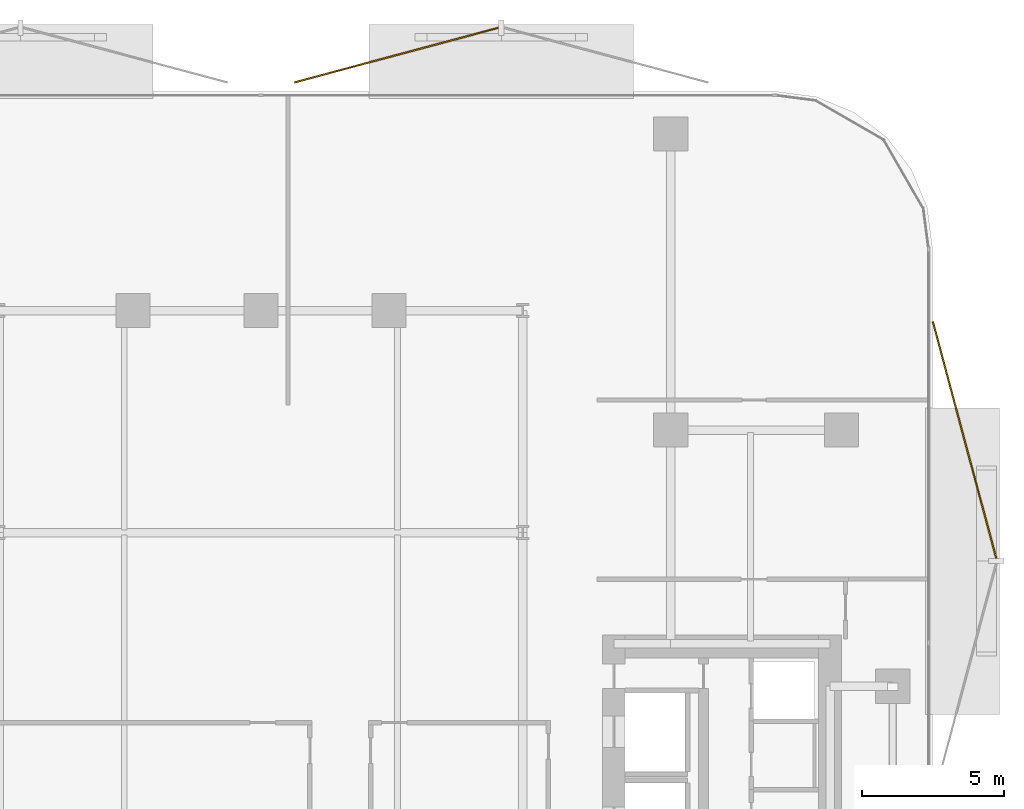
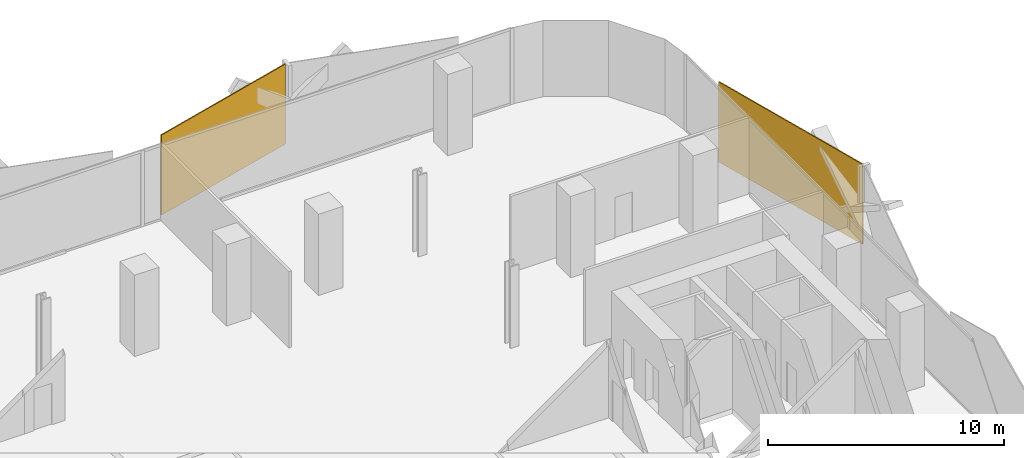
# One storey, part 15 of 15: 2 coverings.
"""IFC4 building model written with IfcOpenShell, lengths in metres."""

from ifc_helpers import new_model, si_unit, direction, frame, origin, origin_2d, place, context, subcontext, project, spatial, rectangle, extrude, material, layer, layer_set, type_object, element, save


model = new_model("IFC4")

# Units and contexts
model_context = context("Model", 3, precision=1e-05, world=origin(), true_north=direction((0.0, 1.0)))
body_context = subcontext(model_context, "Body", "Model", "MODEL_VIEW")
ifc_project = project(units=[si_unit("LENGTHUNIT", "METRE"), si_unit("AREAUNIT", "SQUARE_METRE"), si_unit("VOLUMEUNIT", "CUBIC_METRE"), si_unit("PLANEANGLEUNIT", "RADIAN"), si_unit("MASSUNIT", "GRAM", prefix="KILO")], contexts=[model_context])

# Site, building, storey
site_placement = place(None, origin())
site = spatial("IfcSite", under=ifc_project, at=site_placement, CompositionType="ELEMENT")
building_placement = place(site_placement, origin())
building = spatial("IfcBuilding", under=site, at=building_placement, Name="Khairoan Windgate Tower", CompositionType="ELEMENT")
storey_placement = place(building_placement, frame((0.0, 0.0, 110.0)))
storey = spatial("IfcBuildingStorey", under=building, at=storey_placement, Name="L25", CompositionType="ELEMENT", Elevation=110.0)

# Coverings
ifc_material = material(Name="Anodised Bronze Aluminium 6063-T6", Category="aluminium")
ifc_layer = layer(ifc_material, 0.054931640625, Name="Anodised Bronze Aluminium 6063-T6")
ifc_layer_set = layer_set([ifc_layer], Name="Anodised Bronze Aluminium 6063-T6")
covering_type = type_object("IfcCoveringType", Name="Perforated Bronze-Ceramic Folded Solar Screen Cladding BSC-1", PredefinedType="CLADDING", material=ifc_layer_set)
covering_1_placement = place(storey_placement, frame((4.76611328125, 27.578125, -0.10009765625), z_axis=(0.0, 0.0, 1.0), x_axis=(0.965925826289, 0.258819045103, 0.0)))
element("IfcCovering", 1, at=covering_1_placement, inside=storey, type_object=covering_type, Name="L25 Folded Bronze Solar Screen Facet 150L", PredefinedType="CLADDING", context=body_context, shape_type="SweptSolid", body=[
    extrude(rectangle(XDim=7.431884765625, YDim=0.054931640625, at=origin_2d()), origin(), (0.0, 0.0, 1.0), 4.139892578125),
])
covering_2_placement = place(storey_placement, frame((24.724609375, 14.048583984375, -0.10009765625), z_axis=(0.0, 0.0, 1.0), x_axis=(0.258819045103, -0.965925826289, 0.0)))
element("IfcCovering", 2, at=covering_2_placement, inside=storey, type_object=covering_type, Name="L25 Folded Bronze Solar Screen Facet 151L", PredefinedType="CLADDING", context=body_context, shape_type="SweptSolid", body=[
    extrude(rectangle(XDim=8.6201171875, YDim=0.054931640625, at=origin_2d()), origin(), (0.0, 0.0, 1.0), 4.139892578125),
])

save(model, "model.ifc")
